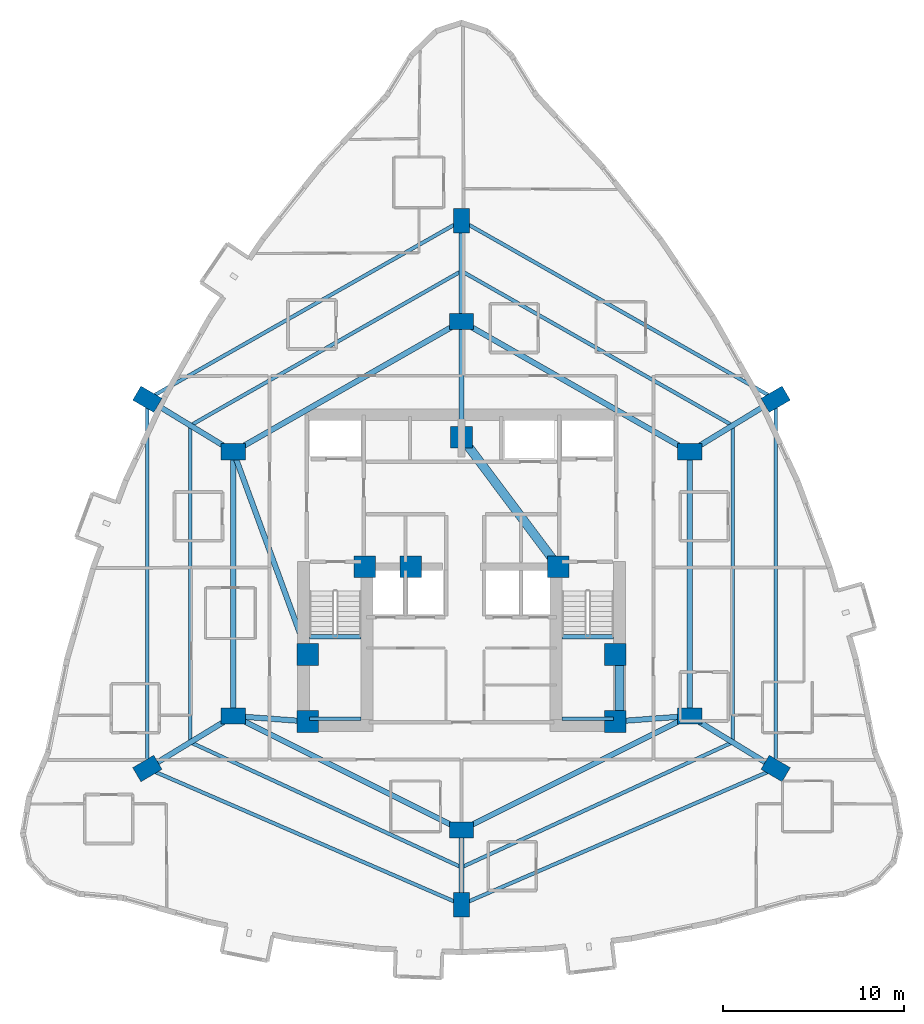
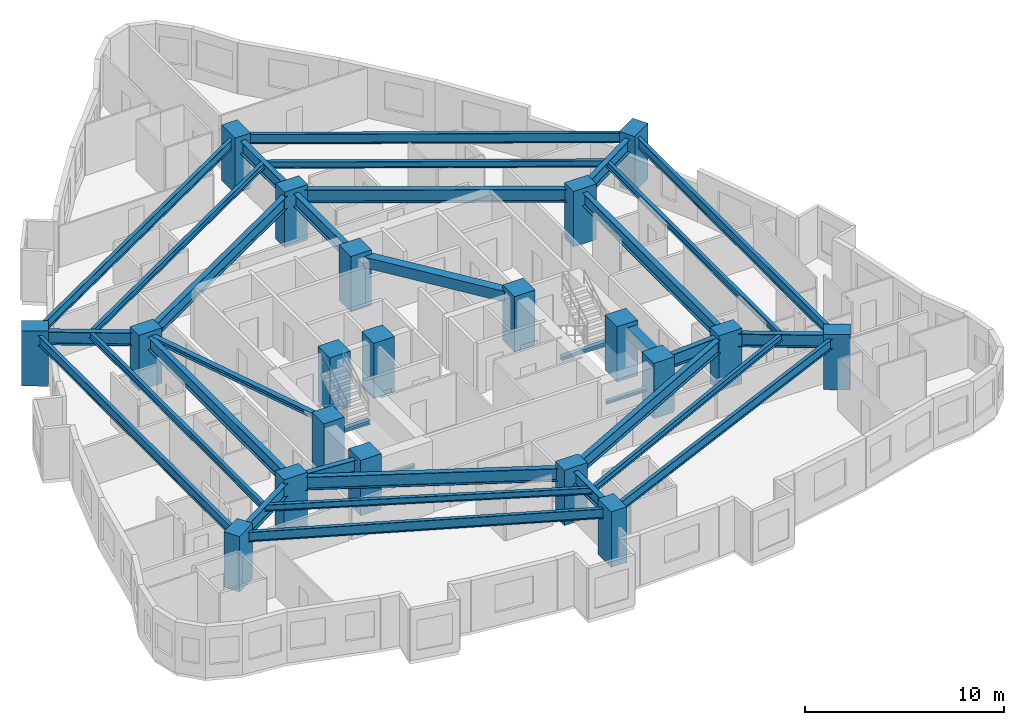
# One storey, part 1 of 13: 34 beams, 20 columns.
"""IFC4 building model written with IfcOpenShell, lengths in metres."""

from ifc_helpers import new_model, si_unit, direction, frame, origin, origin_2d, place, context, subcontext, project, spatial, rectangle, i_section, extrude, material, material_profile, profile_set, type_object, element, save


model = new_model("IFC4")

# Units and contexts
model_context = context("Model", 3, precision=1e-05, world=origin(), true_north=direction((0.0, 1.0)))
body_context = subcontext(model_context, "Body", "Model", "MODEL_VIEW")
ifc_project = project(units=[si_unit("LENGTHUNIT", "METRE"), si_unit("AREAUNIT", "SQUARE_METRE"), si_unit("VOLUMEUNIT", "CUBIC_METRE"), si_unit("PLANEANGLEUNIT", "RADIAN"), si_unit("MASSUNIT", "GRAM", prefix="KILO")], contexts=[model_context])

# Site, building, storey
site_placement = place(None, origin())
site = spatial("IfcSite", under=ifc_project, at=site_placement, CompositionType="ELEMENT")
building_placement = place(site_placement, origin())
building = spatial("IfcBuilding", under=site, at=building_placement, Name="Miruveldt Soraemaru", CompositionType="ELEMENT")
storey_placement = place(building_placement, frame((0.0, 0.0, 73.39990234375)))
storey = spatial("IfcBuildingStorey", under=building, at=storey_placement, Name="L20", CompositionType="ELEMENT", Elevation=73.39990234375)

# Columns
ifc_material_1 = material(Name="Concrete C70/85 (70 MPa)", Category="concrete")
ifc_material_profile_1 = material_profile(ifc_material_1, rectangle(XDim=1.199951171875, YDim=1.199951171875, at=origin_2d()), Name="Concrete C70/85 (70 MPa)", Category="concrete")
ifc_profile_set_1 = profile_set([ifc_material_profile_1], Name="Concrete C70/85 (70 MPa)")
column_type_1 = type_object("IfcColumnType", Name="COL-CORE-1200", PredefinedType="COLUMN", material=ifc_profile_set_1)
for number, where, z_axis, x_axis, name in (
    (1, (35.5, 35.5, 0.0), (0.0, 0.0, 1.0), (1.0, 0.0, 0.0), "L20 Structural Column CC1"),
    (2, (38.64990234375, 44.050048828125, 0.0), (0.0, 0.0, 1.0), (1.0, 0.0, 0.0), "L20 Structural Column CC2"),
    (3, (52.5, 35.5, 0.0), (0.0, 0.0, 1.0), (1.0, 0.0, 0.0), "L20 Structural Column CC3"),
    (4, (52.5, 39.199951171875, 0.0), (0.0, 0.0, 1.0), (1.0, 0.0, 0.0), "L20 Structural Column CC4"),
    (5, (49.35009765625, 44.050048828125, 0.0), (0.0, 0.0, 1.0), (1.0, 0.0, 0.0), "L20 Structural Column CC5"),
    (6, (44.0, 51.199951171875, 0.0), (0.0, 0.0, 1.0), (1.0, 0.0, 0.0), "L20 Structural Column CC6"),
    (7, (35.5, 39.199951171875, 0.0), (0.0, 0.0, 1.0), (1.0, 0.0, 0.0), "L20 Structural Column CC7"),
    (8, (41.199951171875, 44.050048828125, 0.0), (0.0, 0.0, 1.0), (1.0, 0.0, 0.0), "L20 Structural Column CC8"),
):
    element("IfcColumn", number, at=place(storey_placement, frame(where, z_axis=z_axis, x_axis=x_axis)), inside=storey, type_object=column_type_1, Name=name, PredefinedType="COLUMN", context=body_context, shape_type="SweptSolid", body=[
        extrude(rectangle(XDim=1.199951171875, YDim=1.199951171875, at=origin_2d()), origin(), (0.0, 0.0, 1.0), 3.400146484375),
    ])
ifc_material_profile_2 = material_profile(ifc_material_1, rectangle(XDim=1.35009765625, YDim=0.89990234375, at=origin_2d()), Name="Concrete C70/85 (70 MPa)", Category="concrete")
ifc_profile_set_2 = profile_set([ifc_material_profile_2], Name="Concrete C70/85 (70 MPa)")
column_type_2 = type_object("IfcColumnType", Name="COL-TW-Z1B", PredefinedType="COLUMN", material=ifc_profile_set_2)
for number, where, z_axis, x_axis, name in (
    (9, (44.0, 57.60009765625, 0.0), (0.0, 0.0, 1.0), (1.0, 0.0, 0.0), "L20 Structural Column IR01"),
    (10, (56.60009765625, 50.39990234375, 0.0), (0.0, 0.0, 1.0), (1.0, 0.0, 0.0), "L20 Structural Column IR02"),
    (11, (56.60009765625, 35.800048828125, 0.0), (0.0, 0.0, 1.0), (1.0, 0.0, 0.0), "L20 Structural Column IR03"),
    (12, (44.0, 29.5, 0.0), (0.0, 0.0, 1.0), (1.0, 0.0, 0.0), "L20 Structural Column IR04"),
    (13, (31.39990234375, 35.800048828125, 0.0), (0.0, 0.0, 1.0), (1.0, 0.0, 0.0), "L20 Structural Column IR05"),
    (14, (31.39990234375, 50.39990234375, 0.0), (0.0, 0.0, 1.0), (1.0, 0.0, 0.0), "L20 Structural Column IR06"),
    (15, (44.0, 63.16796875, 0.0), (0.0, 0.0, 1.0), (0.0, 1.0, 0.0), "L20 Structural Column Z1P01"),
    (16, (61.35595703125, 53.300048828125, 0.0), (0.0, 0.0, 1.0), (0.864274801954, 0.50301994663, 0.0), "L20 Structural Column Z1P02"),
    (17, (61.35595703125, 32.89990234375, 0.0), (0.0, 0.0, 1.0), (-0.859852271597, 0.510542917912, 0.0), "L20 Structural Column Z1P03"),
    (18, (44.0, 25.382080078125, 0.0), (0.0, 0.0, 1.0), (0.0, 1.0, 0.0), "L20 Structural Column Z1P04"),
    (19, (26.64404296875, 32.89990234375, 0.0), (0.0, 0.0, 1.0), (0.859852271597, 0.510542917912, 0.0), "L20 Structural Column Z1P05"),
    (20, (26.64404296875, 53.300048828125, 0.0), (0.0, 0.0, 1.0), (-0.864274801954, 0.50301994663, 0.0), "L20 Structural Column Z1P06"),
):
    element("IfcColumn", number, at=place(storey_placement, frame(where, z_axis=z_axis, x_axis=x_axis)), inside=storey, type_object=column_type_2, Name=name, PredefinedType="COLUMN", context=body_context, shape_type="SweptSolid", body=[
        extrude(rectangle(XDim=1.35009765625, YDim=0.89990234375, at=origin_2d()), origin(), (0.0, 0.0, 1.0), 3.400146484375),
    ])

# Beams
ifc_material_2 = material(Name="Steel SM355 (355 MPa)", Category="steel")
ifc_material_profile_3 = material_profile(ifc_material_2, i_section(OverallWidth=0.300048828125, OverallDepth=0.300048828125, WebThickness=0.010009765625, FlangeThickness=0.014892578125, FilletRadius=0.01806640625, at=origin_2d()), Name="Steel SM355 (355 MPa)", Category="steel")
ifc_profile_set_3 = profile_set([ifc_material_profile_3], Name="Steel SM355 (355 MPa)")
beam_type_1 = type_object("IfcBeamType", Name="BM-LNT-H300", PredefinedType="LINTEL", material=ifc_profile_set_3)
beam_1_placement = place(storey_placement, frame((31.39990234375, 50.39990234375, 2.97509765625), z_axis=(0.343770424598, -0.939053723262, 0.0), x_axis=(0.939053723262, 0.343770424598, 0.0)))
element("IfcBeam", 21, at=beam_1_placement, inside=storey, type_object=beam_type_1, Name="L20 West Lobby Lintel", PredefinedType="LINTEL", context=body_context, shape_type="SweptSolid", body=[
    extrude(i_section(OverallWidth=0.300048828125, OverallDepth=0.300048828125, WebThickness=0.010009765625, FlangeThickness=0.014892578125, FilletRadius=0.01806640625, at=origin_2d()), origin(), (0.0, 0.0, 1.0), 11.9267578125),
])
ifc_material_3 = material(Name="Concrete C50/60 (50 MPa)", Category="concrete")
ifc_material_profile_4 = material_profile(ifc_material_3, rectangle(XDim=0.5, YDim=0.64990234375, at=origin_2d()), Name="Concrete C50/60 (50 MPa)", Category="concrete")
ifc_profile_set_4 = profile_set([ifc_material_profile_4], Name="Concrete C50/60 (50 MPa)")
beam_type_2 = type_object("IfcBeamType", Name="BM-RC-500x650", PredefinedType="BEAM", material=ifc_profile_set_4)
beam_2_placement = place(storey_placement, frame((52.72998046875, 35.5, 2.800048828125), z_axis=(0.0, 1.0, 0.0), x_axis=(-1.0, 0.0, 0.0)))
element("IfcBeam", 22, at=beam_2_placement, inside=storey, type_object=beam_type_2, Name="L20 Core Tie Beam 3", PredefinedType="BEAM", context=body_context, shape_type="SweptSolid", body=[
    extrude(rectangle(XDim=0.5, YDim=0.64990234375, at=origin_2d()), origin(), (0.0, 0.0, 1.0), 3.699951171875),
])
beam_3_placement = place(storey_placement, frame((49.35009765625, 44.050048828125, 2.800048828125), z_axis=(-0.599116023999, 0.800662219533, 0.0), x_axis=(-0.800662219533, -0.599116023999, 0.0)))
element("IfcBeam", 23, at=beam_3_placement, inside=storey, type_object=beam_type_2, Name="L20 Core Tie Beam 5", PredefinedType="BEAM", context=body_context, shape_type="SweptSolid", body=[
    extrude(rectangle(XDim=0.5, YDim=0.64990234375, at=origin_2d()), origin(), (0.0, 0.0, 1.0), 8.929931640625),
])
ifc_material_profile_5 = material_profile(ifc_material_2, i_section(OverallWidth=0.199951171875, OverallDepth=0.39990234375, WebThickness=0.008056640625, FlangeThickness=0.012939453125, FilletRadius=0.01611328125, at=origin_2d()), Name="Steel SM355 (355 MPa)", Category="steel")
ifc_profile_set_5 = profile_set([ifc_material_profile_5], Name="Steel SM355 (355 MPa)")
beam_type_3 = type_object("IfcBeamType", Name="BM-ST-H400", PredefinedType="JOIST", material=ifc_profile_set_5)
beam_4_placement = place(storey_placement, frame((44.0, 60.384033203125, 2.925048828125), z_axis=(0.868865604585, -0.495048039254, 0.0), x_axis=(0.495048039254, 0.868865604585, 0.0)))
element("IfcBeam", 24, at=beam_4_placement, inside=storey, type_object=beam_type_3, Name="L20 Outer Bay Floor Joist 1", PredefinedType="JOIST", context=body_context, shape_type="SweptSolid", body=[
    extrude(i_section(OverallWidth=0.199951171875, OverallDepth=0.39990234375, WebThickness=0.008056640625, FlangeThickness=0.012939453125, FilletRadius=0.01611328125, at=origin_2d()), origin(), (0.0, 0.0, 1.0), 17.238525390625),
])
beam_5_placement = place(storey_placement, frame((58.97802734375, 51.85009765625, 2.925048828125), z_axis=(0.0, -1.0, 0.0), x_axis=(1.0, 0.0, 0.0)))
element("IfcBeam", 25, at=beam_5_placement, inside=storey, type_object=beam_type_3, Name="L20 Outer Bay Floor Joist 2", PredefinedType="JOIST", context=body_context, shape_type="SweptSolid", body=[
    extrude(i_section(OverallWidth=0.199951171875, OverallDepth=0.39990234375, WebThickness=0.008056640625, FlangeThickness=0.012939453125, FilletRadius=0.01611328125, at=origin_2d()), origin(), (0.0, 0.0, 1.0), 17.5),
])
for number, where, z_axis, x_axis, name in (
    (26, (58.97802734375, 34.35009765625, 2.925048828125), (-0.908046005539, -0.418870447543, 0.0), (0.418870447543, -0.908046005539, 0.0), "L20 Outer Bay Floor Joist 3"),
    (27, (44.0, 27.44091796875, 2.925048828125), (-0.908046005539, 0.418870447543, 0.0), (-0.418870447543, -0.908046005539, 0.0), "L20 Outer Bay Floor Joist 4"),
):
    element("IfcBeam", number, at=place(storey_placement, frame(where, z_axis=z_axis, x_axis=x_axis)), inside=storey, type_object=beam_type_3, Name=name, PredefinedType="JOIST", context=body_context, shape_type="SweptSolid", body=[
        extrude(i_section(OverallWidth=0.199951171875, OverallDepth=0.39990234375, WebThickness=0.008056640625, FlangeThickness=0.012939453125, FilletRadius=0.01611328125, at=origin_2d()), origin(), (0.0, 0.0, 1.0), 16.494873046875),
    ])
beam_6_placement = place(storey_placement, frame((29.02197265625, 34.35009765625, 2.925048828125), z_axis=(0.0, 1.0, 0.0), x_axis=(-1.0, 0.0, 0.0)))
element("IfcBeam", 28, at=beam_6_placement, inside=storey, type_object=beam_type_3, Name="L20 Outer Bay Floor Joist 5", PredefinedType="JOIST", context=body_context, shape_type="SweptSolid", body=[
    extrude(i_section(OverallWidth=0.199951171875, OverallDepth=0.39990234375, WebThickness=0.008056640625, FlangeThickness=0.012939453125, FilletRadius=0.01611328125, at=origin_2d()), origin(), (0.0, 0.0, 1.0), 17.5),
])
beam_7_placement = place(storey_placement, frame((29.02197265625, 51.85009765625, 2.925048828125), z_axis=(0.868865604585, 0.495048039254, 0.0), x_axis=(-0.495048039254, 0.868865604585, 0.0)))
element("IfcBeam", 29, at=beam_7_placement, inside=storey, type_object=beam_type_3, Name="L20 Outer Bay Floor Joist 6", PredefinedType="JOIST", context=body_context, shape_type="SweptSolid", body=[
    extrude(i_section(OverallWidth=0.199951171875, OverallDepth=0.39990234375, WebThickness=0.008056640625, FlangeThickness=0.012939453125, FilletRadius=0.01611328125, at=origin_2d()), origin(), (0.0, 0.0, 1.0), 17.238525390625),
])
ifc_material_profile_6 = material_profile(ifc_material_2, i_section(OverallWidth=0.199951171875, OverallDepth=0.60009765625, WebThickness=0.010986328125, FlangeThickness=0.01708984375, FilletRadius=0.02197265625, at=origin_2d()), Name="Steel SM355 (355 MPa)", Category="steel")
ifc_profile_set_6 = profile_set([ifc_material_profile_6], Name="Steel SM355 (355 MPa)")
beam_type_4 = type_object("IfcBeamType", Name="BM-ST-H600", PredefinedType="SPANDREL", material=ifc_profile_set_6)
beam_8_placement = place(storey_placement, frame((44.0, 63.16796875, 2.8251953125), z_axis=(0.869314947608, -0.494258557706, 0.0), x_axis=(0.494258557706, 0.869314947608, 0.0)))
element("IfcBeam", 30, at=beam_8_placement, inside=storey, type_object=beam_type_4, Name="L20 Zone-1 Spandrel Beam 1", PredefinedType="SPANDREL", context=body_context, shape_type="SweptSolid", body=[
    extrude(i_section(OverallWidth=0.199951171875, OverallDepth=0.60009765625, WebThickness=0.010986328125, FlangeThickness=0.01708984375, FilletRadius=0.02197265625, at=origin_2d()), origin(), (0.0, 0.0, 1.0), 19.965087890625),
])
beam_9_placement = place(storey_placement, frame((61.35595703125, 53.300048828125, 2.8251953125), z_axis=(0.0, -1.0, 0.0), x_axis=(1.0, 0.0, 0.0)))
element("IfcBeam", 31, at=beam_9_placement, inside=storey, type_object=beam_type_4, Name="L20 Zone-1 Spandrel Beam 2", PredefinedType="SPANDREL", context=body_context, shape_type="SweptSolid", body=[
    extrude(i_section(OverallWidth=0.199951171875, OverallDepth=0.60009765625, WebThickness=0.010986328125, FlangeThickness=0.01708984375, FilletRadius=0.02197265625, at=origin_2d()), origin(), (0.0, 0.0, 1.0), 20.400146484375),
])
for number, where, z_axis, x_axis, name in (
    (32, (61.35595703125, 32.89990234375, 2.8251953125), (-0.917615263736, -0.397469782195, 0.0), (0.397469782195, -0.917615263736, 0.0), "L20 Zone-1 Spandrel Beam 3"),
    (33, (44.0, 25.382080078125, 2.8251953125), (-0.917615263736, 0.397469782195, 0.0), (-0.397469782195, -0.917615263736, 0.0), "L20 Zone-1 Spandrel Beam 4"),
):
    element("IfcBeam", number, at=place(storey_placement, frame(where, z_axis=z_axis, x_axis=x_axis)), inside=storey, type_object=beam_type_4, Name=name, PredefinedType="SPANDREL", context=body_context, shape_type="SweptSolid", body=[
        extrude(i_section(OverallWidth=0.199951171875, OverallDepth=0.60009765625, WebThickness=0.010986328125, FlangeThickness=0.01708984375, FilletRadius=0.02197265625, at=origin_2d()), origin(), (0.0, 0.0, 1.0), 18.914306640625),
    ])
beam_10_placement = place(storey_placement, frame((26.64404296875, 32.89990234375, 2.8251953125), z_axis=(0.0, 1.0, 0.0), x_axis=(-1.0, 0.0, 0.0)))
element("IfcBeam", 34, at=beam_10_placement, inside=storey, type_object=beam_type_4, Name="L20 Zone-1 Spandrel Beam 5", PredefinedType="SPANDREL", context=body_context, shape_type="SweptSolid", body=[
    extrude(i_section(OverallWidth=0.199951171875, OverallDepth=0.60009765625, WebThickness=0.010986328125, FlangeThickness=0.01708984375, FilletRadius=0.02197265625, at=origin_2d()), origin(), (0.0, 0.0, 1.0), 20.400146484375),
])
beam_11_placement = place(storey_placement, frame((26.64404296875, 53.300048828125, 2.8251953125), z_axis=(0.869314947608, 0.494258557706, 0.0), x_axis=(-0.494258557706, 0.869314947608, 0.0)))
element("IfcBeam", 35, at=beam_11_placement, inside=storey, type_object=beam_type_4, Name="L20 Zone-1 Spandrel Beam 6", PredefinedType="SPANDREL", context=body_context, shape_type="SweptSolid", body=[
    extrude(i_section(OverallWidth=0.199951171875, OverallDepth=0.60009765625, WebThickness=0.010986328125, FlangeThickness=0.01708984375, FilletRadius=0.02197265625, at=origin_2d()), origin(), (0.0, 0.0, 1.0), 19.965087890625),
])
ifc_material_4 = material(Name="Steel S460 (460 MPa)", Category="steel")
ifc_material_profile_7 = material_profile(ifc_material_4, i_section(OverallWidth=0.300048828125, OverallDepth=0.800048828125, WebThickness=0.013916015625, FlangeThickness=0.02587890625, FilletRadius=0.028076171875, at=origin_2d()), Name="Steel S460 (460 MPa)", Category="steel")
ifc_profile_set_7 = profile_set([ifc_material_profile_7], Name="Steel S460 (460 MPa)")
beam_type_5 = type_object("IfcBeamType", Name="BM-ST-H800", PredefinedType="BEAM", material=ifc_profile_set_7)
beam_12_placement = place(storey_placement, frame((44.0, 57.60009765625, 2.72509765625), z_axis=(0.868239001029, -0.496146185203, 0.0), x_axis=(0.496146185203, 0.868239001029, 0.0)))
element("IfcBeam", 36, at=beam_12_placement, inside=storey, type_object=beam_type_5, Name="L20 Inner Ring Girder 1", PredefinedType="BEAM", context=body_context, shape_type="SweptSolid", body=[
    extrude(i_section(OverallWidth=0.300048828125, OverallDepth=0.800048828125, WebThickness=0.013916015625, FlangeThickness=0.02587890625, FilletRadius=0.028076171875, at=origin_2d()), origin(), (0.0, 0.0, 1.0), 14.51220703125),
])
beam_13_placement = place(storey_placement, frame((44.0, 51.199951171875, 2.72509765625), z_axis=(0.0, 1.0, 0.0), x_axis=(-1.0, 0.0, 0.0)))
element("IfcBeam", 37, at=beam_13_placement, inside=storey, type_object=beam_type_5, Name="L20 Core-to-Inner Radial Girder 1", PredefinedType="BEAM", context=body_context, shape_type="SweptSolid", body=[
    extrude(i_section(OverallWidth=0.300048828125, OverallDepth=0.800048828125, WebThickness=0.013916015625, FlangeThickness=0.02587890625, FilletRadius=0.028076171875, at=origin_2d()), origin(), (0.0, 0.0, 1.0), 6.400146484375),
])
beam_14_placement = place(storey_placement, frame((56.60009765625, 50.39990234375, 2.72509765625), z_axis=(0.0, -1.0, 0.0), x_axis=(1.0, 0.0, 0.0)))
element("IfcBeam", 38, at=beam_14_placement, inside=storey, type_object=beam_type_5, Name="L20 Inner Ring Girder 2", PredefinedType="BEAM", context=body_context, shape_type="SweptSolid", body=[
    extrude(i_section(OverallWidth=0.300048828125, OverallDepth=0.800048828125, WebThickness=0.013916015625, FlangeThickness=0.02587890625, FilletRadius=0.028076171875, at=origin_2d()), origin(), (0.0, 0.0, 1.0), 14.599853515625),
])
beam_15_placement = place(storey_placement, frame((56.60009765625, 35.800048828125, 2.72509765625), z_axis=(-0.894427191, -0.4472135955, 0.0), x_axis=(0.4472135955, -0.894427191, 0.0)))
element("IfcBeam", 39, at=beam_15_placement, inside=storey, type_object=beam_type_5, Name="L20 Inner Ring Girder 3", PredefinedType="BEAM", context=body_context, shape_type="SweptSolid", body=[
    extrude(i_section(OverallWidth=0.300048828125, OverallDepth=0.800048828125, WebThickness=0.013916015625, FlangeThickness=0.02587890625, FilletRadius=0.028076171875, at=origin_2d()), origin(), (0.0, 0.0, 1.0), 14.08740234375),
])
beam_16_placement = place(storey_placement, frame((52.5, 35.5, 2.72509765625), z_axis=(0.997332985605, 0.072985723431, 0.0), x_axis=(-0.072985723431, 0.997332985605, 0.0)))
element("IfcBeam", 40, at=beam_16_placement, inside=storey, type_object=beam_type_5, Name="L20 Core-to-Inner Radial Girder 3", PredefinedType="BEAM", context=body_context, shape_type="SweptSolid", body=[
    extrude(i_section(OverallWidth=0.300048828125, OverallDepth=0.800048828125, WebThickness=0.013916015625, FlangeThickness=0.02587890625, FilletRadius=0.028076171875, at=origin_2d()), origin(), (0.0, 0.0, 1.0), 4.111083984375),
])
beam_17_placement = place(storey_placement, frame((44.0, 29.5, 2.72509765625), z_axis=(-0.894427191, 0.4472135955, 0.0), x_axis=(-0.4472135955, -0.894427191, 0.0)))
element("IfcBeam", 41, at=beam_17_placement, inside=storey, type_object=beam_type_5, Name="L20 Inner Ring Girder 4", PredefinedType="BEAM", context=body_context, shape_type="SweptSolid", body=[
    extrude(i_section(OverallWidth=0.300048828125, OverallDepth=0.800048828125, WebThickness=0.013916015625, FlangeThickness=0.02587890625, FilletRadius=0.028076171875, at=origin_2d()), origin(), (0.0, 0.0, 1.0), 14.08740234375),
])
beam_18_placement = place(storey_placement, frame((31.39990234375, 35.800048828125, 2.72509765625), z_axis=(0.0, 1.0, 0.0), x_axis=(-1.0, 0.0, 0.0)))
element("IfcBeam", 42, at=beam_18_placement, inside=storey, type_object=beam_type_5, Name="L20 Inner Ring Girder 5", PredefinedType="BEAM", context=body_context, shape_type="SweptSolid", body=[
    extrude(i_section(OverallWidth=0.300048828125, OverallDepth=0.800048828125, WebThickness=0.013916015625, FlangeThickness=0.02587890625, FilletRadius=0.028076171875, at=origin_2d()), origin(), (0.0, 0.0, 1.0), 14.599853515625),
])
beam_19_placement = place(storey_placement, frame((35.5, 35.5, 2.72509765625), z_axis=(-0.997332985605, 0.072985723431, 0.0), x_axis=(-0.072985723431, -0.997332985605, 0.0)))
element("IfcBeam", 43, at=beam_19_placement, inside=storey, type_object=beam_type_5, Name="L20 Core-to-Inner Radial Girder 5", PredefinedType="BEAM", context=body_context, shape_type="SweptSolid", body=[
    extrude(i_section(OverallWidth=0.300048828125, OverallDepth=0.800048828125, WebThickness=0.013916015625, FlangeThickness=0.02587890625, FilletRadius=0.028076171875, at=origin_2d()), origin(), (0.0, 0.0, 1.0), 4.111083984375),
])
beam_20_placement = place(storey_placement, frame((31.39990234375, 50.39990234375, 2.72509765625), z_axis=(0.868239001029, 0.496146185203, 0.0), x_axis=(-0.496146185203, 0.868239001029, 0.0)))
element("IfcBeam", 44, at=beam_20_placement, inside=storey, type_object=beam_type_5, Name="L20 Inner Ring Girder 6", PredefinedType="BEAM", context=body_context, shape_type="SweptSolid", body=[
    extrude(i_section(OverallWidth=0.300048828125, OverallDepth=0.800048828125, WebThickness=0.013916015625, FlangeThickness=0.02587890625, FilletRadius=0.028076171875, at=origin_2d()), origin(), (0.0, 0.0, 1.0), 14.51220703125),
])
beam_21_placement = place(storey_placement, frame((44.0, 57.60009765625, 2.72509765625), z_axis=(0.0, 1.0, 0.0), x_axis=(-1.0, 0.0, 0.0)))
element("IfcBeam", 45, at=beam_21_placement, inside=storey, type_object=beam_type_5, Name="L20 Zone-1 Radial Girder 1", PredefinedType="BEAM", context=body_context, shape_type="SweptSolid", body=[
    extrude(i_section(OverallWidth=0.300048828125, OverallDepth=0.800048828125, WebThickness=0.013916015625, FlangeThickness=0.02587890625, FilletRadius=0.028076171875, at=origin_2d()), origin(), (0.0, 0.0, 1.0), 5.56787109375),
])
for number, where, z_axis, x_axis, name in (
    (46, (56.60009765625, 50.39990234375, 2.72509765625), (0.853777644156, 0.520637814935, 0.0), (-0.520637814935, 0.853777644156, 0.0), "L20 Zone-1 Radial Girder 2"),
    (47, (56.60009765625, 35.800048828125, 2.72509765625), (0.853777644156, -0.520637814935, 0.0), (0.520637814935, 0.853777644156, 0.0), "L20 Zone-1 Radial Girder 3"),
):
    element("IfcBeam", number, at=place(storey_placement, frame(where, z_axis=z_axis, x_axis=x_axis)), inside=storey, type_object=beam_type_5, Name=name, PredefinedType="BEAM", context=body_context, shape_type="SweptSolid", body=[
        extrude(i_section(OverallWidth=0.300048828125, OverallDepth=0.800048828125, WebThickness=0.013916015625, FlangeThickness=0.02587890625, FilletRadius=0.028076171875, at=origin_2d()), origin(), (0.0, 0.0, 1.0), 5.5703125),
    ])
beam_22_placement = place(storey_placement, frame((44.0, 29.5, 2.72509765625), z_axis=(0.0, -1.0, 0.0), x_axis=(1.0, 0.0, 0.0)))
element("IfcBeam", 48, at=beam_22_placement, inside=storey, type_object=beam_type_5, Name="L20 Zone-1 Radial Girder 4", PredefinedType="BEAM", context=body_context, shape_type="SweptSolid", body=[
    extrude(i_section(OverallWidth=0.300048828125, OverallDepth=0.800048828125, WebThickness=0.013916015625, FlangeThickness=0.02587890625, FilletRadius=0.028076171875, at=origin_2d()), origin(), (0.0, 0.0, 1.0), 4.117919921875),
])
for number, where, z_axis, x_axis, name in (
    (49, (31.39990234375, 35.800048828125, 2.72509765625), (-0.853777644156, -0.520637814935, 0.0), (0.520637814935, -0.853777644156, 0.0), "L20 Zone-1 Radial Girder 5"),
    (50, (31.39990234375, 50.39990234375, 2.72509765625), (-0.853777644156, 0.520637814935, 0.0), (-0.520637814935, -0.853777644156, 0.0), "L20 Zone-1 Radial Girder 6"),
):
    element("IfcBeam", number, at=place(storey_placement, frame(where, z_axis=z_axis, x_axis=x_axis)), inside=storey, type_object=beam_type_5, Name=name, PredefinedType="BEAM", context=body_context, shape_type="SweptSolid", body=[
        extrude(i_section(OverallWidth=0.300048828125, OverallDepth=0.800048828125, WebThickness=0.013916015625, FlangeThickness=0.02587890625, FilletRadius=0.028076171875, at=origin_2d()), origin(), (0.0, 0.0, 1.0), 5.5703125),
    ])
ifc_material_profile_8 = material_profile(ifc_material_2, i_section(OverallWidth=0.199951171875, OverallDepth=0.199951171875, WebThickness=0.008056640625, FlangeThickness=0.011962890625, FilletRadius=0.012939453125, at=origin_2d()), Name="Steel SM355 (355 MPa)", Category="steel")
ifc_profile_set_8 = profile_set([ifc_material_profile_8], Name="Steel SM355 (355 MPa)")
beam_type_6 = type_object("IfcBeamType", Name="BM-ST-LND200", PredefinedType="BEAM", material=ifc_profile_set_8)
for number, where, z_axis, x_axis, name in (
    (51, (35.60009765625, 35.64990234375, 1.400146484375), (1.0, 0.0, 0.0), (0.0, 1.0, 0.0), "L20 ST1 Landing End Beam 1B"),
    (52, (49.550048828125, 35.64990234375, 1.400146484375), (1.0, 0.0, 0.0), (0.0, 1.0, 0.0), "L20 ST2 Landing End Beam 1B"),
):
    element("IfcBeam", number, at=place(storey_placement, frame(where, z_axis=z_axis, x_axis=x_axis)), inside=storey, type_object=beam_type_6, Name=name, PredefinedType="BEAM", context=body_context, shape_type="SweptSolid", body=[
        extrude(i_section(OverallWidth=0.199951171875, OverallDepth=0.199951171875, WebThickness=0.008056640625, FlangeThickness=0.011962890625, FilletRadius=0.012939453125, at=origin_2d()), origin(), (0.0, 0.0, 1.0), 2.849853515625),
    ])
ifc_material_profile_9 = material_profile(ifc_material_2, i_section(OverallWidth=0.25, OverallDepth=0.25, WebThickness=0.009033203125, FlangeThickness=0.013916015625, FilletRadius=0.01611328125, at=origin_2d()), Name="Steel SM355 (355 MPa)", Category="steel")
ifc_profile_set_9 = profile_set([ifc_material_profile_9], Name="Steel SM355 (355 MPa)")
beam_type_7 = type_object("IfcBeamType", Name="BM-ST-LND250", PredefinedType="BEAM", material=ifc_profile_set_9)
for number, where, z_axis, x_axis, name in (
    (53, (35.60009765625, 40.179931640625, 1.375), (1.0, 0.0, 0.0), (0.0, 1.0, 0.0), "L20 ST1 Landing Support Beam 1A"),
    (54, (49.550048828125, 40.179931640625, 1.375), (1.0, 0.0, 0.0), (0.0, 1.0, 0.0), "L20 ST2 Landing Support Beam 1A"),
):
    element("IfcBeam", number, at=place(storey_placement, frame(where, z_axis=z_axis, x_axis=x_axis)), inside=storey, type_object=beam_type_7, Name=name, PredefinedType="BEAM", context=body_context, shape_type="SweptSolid", body=[
        extrude(i_section(OverallWidth=0.25, OverallDepth=0.25, WebThickness=0.009033203125, FlangeThickness=0.013916015625, FilletRadius=0.01611328125, at=origin_2d()), origin(), (0.0, 0.0, 1.0), 2.849853515625),
    ])

save(model, "model.ifc")
